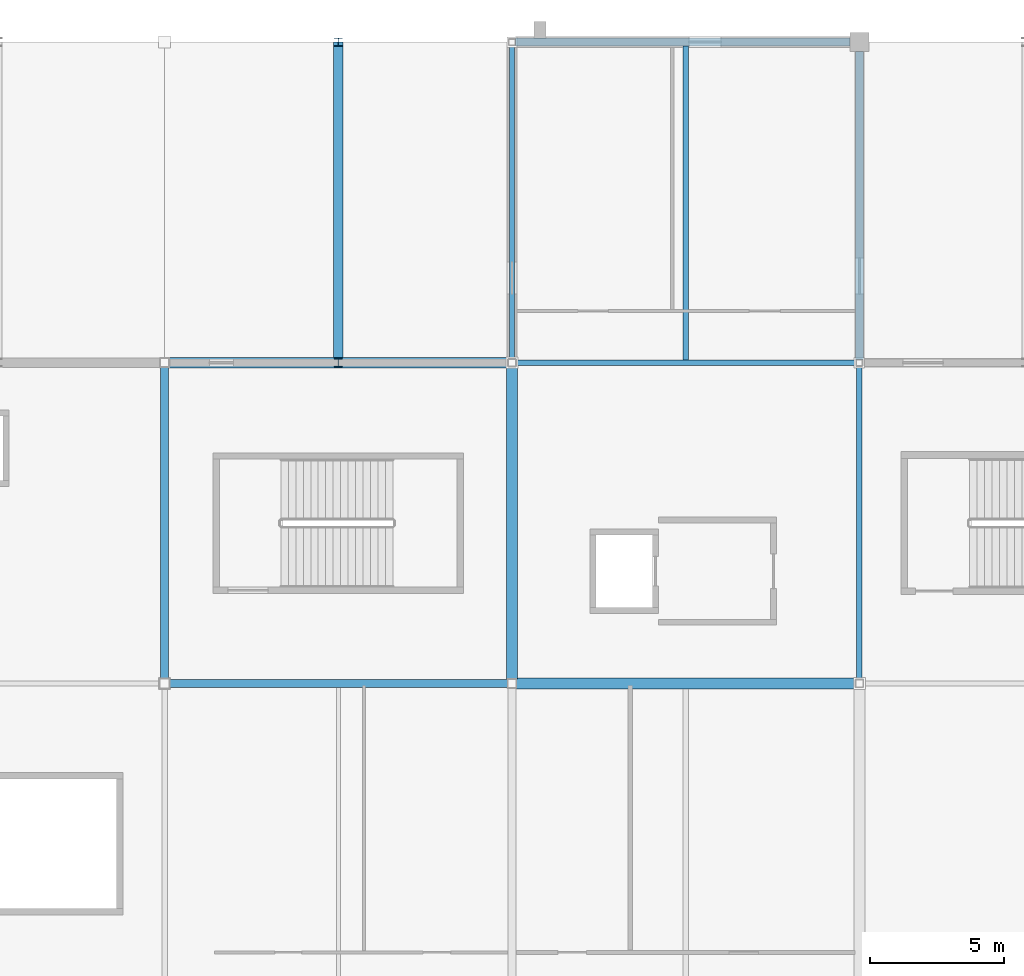
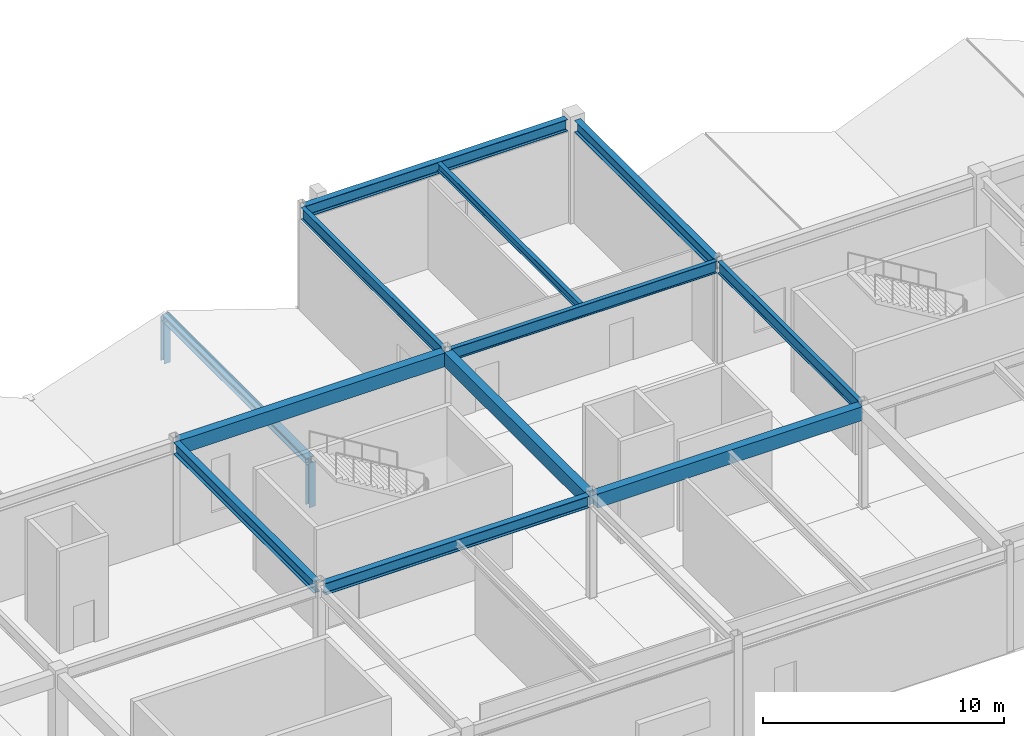
# One storey, part 54 of 105: 11 beams, 3 members.
"""IFC4 building model written with IfcOpenShell, lengths in metres."""

from ifc_helpers import new_model, si_unit, direction, frame, origin, origin_2d, place, context, subcontext, project, spatial, rectangle, i_section, extrude, material, material_profile, profile_set, type_object, element, save


model = new_model("IFC4")

# Units and contexts
model_context = context("Model", 3, precision=1e-05, world=origin(), true_north=direction((0.0, 1.0)))
body_context = subcontext(model_context, "Body", "Model", "MODEL_VIEW")
ifc_project = project(units=[si_unit("LENGTHUNIT", "METRE"), si_unit("AREAUNIT", "SQUARE_METRE"), si_unit("VOLUMEUNIT", "CUBIC_METRE"), si_unit("PLANEANGLEUNIT", "RADIAN"), si_unit("MASSUNIT", "GRAM", prefix="KILO")], contexts=[model_context])

# Site, building, storey
site_placement = place(None, origin())
site = spatial("IfcSite", under=ifc_project, at=site_placement, CompositionType="ELEMENT")
building_placement = place(site_placement, origin())
building = spatial("IfcBuilding", under=site, at=building_placement, Name="Kazenohara Klinker Stadium", CompositionType="ELEMENT")
storey_placement = place(building_placement, frame((0.0, 0.0, 20.39990234375)))
storey = spatial("IfcBuildingStorey", under=building, at=storey_placement, Name="L04", CompositionType="ELEMENT", Elevation=20.39990234375)

# Beams
ifc_material_1 = material(Name="Steel S355", Category="steel")
ifc_material_profile_1 = material_profile(ifc_material_1, i_section(OverallWidth=0.199951171875, OverallDepth=0.39990234375, WebThickness=0.008056640625, FlangeThickness=0.012939453125, FilletRadius=0.012939453125, at=origin_2d()), Name="H-400x200x8x13")
ifc_profile_set_1 = profile_set([ifc_material_profile_1], Name="Steel S355")
beam_type_1 = type_object("IfcBeamType", Name="BM-JST03", PredefinedType="JOIST", material=ifc_profile_set_1)
beam_1_placement = place(storey_placement, frame((118.5, 156.10009765625, 4.97998046875), z_axis=(0.0, 1.0, 0.0), x_axis=(-1.0, 0.0, 0.0)))
element("IfcBeam", 1, at=beam_1_placement, inside=storey, type_object=beam_type_1, Name="Secondary floor joist SJ03 L04 10/P", PredefinedType="JOIST", context=body_context, shape_type="SweptSolid", body=[
    extrude(i_section(OverallWidth=0.199951171875, OverallDepth=0.39990234375, WebThickness=0.008056640625, FlangeThickness=0.012939453125, FilletRadius=0.012939453125, at=origin_2d()), origin(), (0.0, 0.0, 1.0), 11.75),
])
ifc_material_2 = material(Name="Concrete C40/50", Category="concrete")
ifc_material_profile_2 = material_profile(ifc_material_2, rectangle(XDim=0.39990234375, YDim=0.699951171875, at=origin_2d()), Name="RC-BM-400x700")
ifc_profile_set_2 = profile_set([ifc_material_profile_2], Name="Concrete C40/50")
beam_type_2 = type_object("IfcBeamType", Name="BM-RC04", PredefinedType="BEAM", material=ifc_profile_set_2)
for number, where, z_axis, x_axis, name in (
    (2, (99.175048828125, 156.0, 4.830078125), (1.0, 0.0, 0.0), (0.0, 1.0, 0.0), "Primary girder BG04 L04 9-10/P"),
    (3, (112.175048828125, 144.0, 4.830078125), (1.0, 0.0, 0.0), (0.0, 1.0, 0.0), "Primary girder BG04 L04 10-11/N"),
):
    element("IfcBeam", number, at=place(storey_placement, frame(where, z_axis=z_axis, x_axis=x_axis)), inside=storey, type_object=beam_type_2, Name=name, PredefinedType="BEAM", context=body_context, shape_type="SweptSolid", body=[
        extrude(rectangle(XDim=0.39990234375, YDim=0.699951171875, at=origin_2d()), origin(), (0.0, 0.0, 1.0), 12.675048828125),
    ])
beam_2_placement = place(storey_placement, frame((112.0, 144.175048828125, 4.830078125), z_axis=(0.0, 1.0, 0.0), x_axis=(-1.0, 0.0, 0.0)))
element("IfcBeam", 4, at=beam_2_placement, inside=storey, type_object=beam_type_2, Name="Primary girder BG04 L04 10/N-P", PredefinedType="BEAM", context=body_context, shape_type="SweptSolid", body=[
    extrude(rectangle(XDim=0.39990234375, YDim=0.699951171875, at=origin_2d()), origin(), (0.0, 0.0, 1.0), 11.675048828125),
])
ifc_material_profile_3 = material_profile(ifc_material_1, i_section(OverallWidth=0.199951171875, OverallDepth=0.60009765625, WebThickness=0.010986328125, FlangeThickness=0.01708984375, FilletRadius=0.012939453125, at=origin_2d()), Name="H-600x200x11x17")
ifc_profile_set_3 = profile_set([ifc_material_profile_3], Name="Steel S355")
beam_type_3 = type_object("IfcBeamType", Name="BM-ST04", PredefinedType="BEAM", material=ifc_profile_set_3)
beam_3_placement = place(storey_placement, frame((112.14990234375, 156.0, 4.880126953125), z_axis=(1.0, 0.0, 0.0), x_axis=(0.0, 1.0, 0.0)))
element("IfcBeam", 5, at=beam_3_placement, inside=storey, type_object=beam_type_3, Name="Primary girder SB04 L04 10-11/P", PredefinedType="BEAM", context=body_context, shape_type="SweptSolid", body=[
    extrude(i_section(OverallWidth=0.199951171875, OverallDepth=0.60009765625, WebThickness=0.010986328125, FlangeThickness=0.01708984375, FilletRadius=0.012939453125, at=origin_2d()), origin(), (0.0, 0.0, 1.0), 12.72509765625),
])
for number, where, z_axis, x_axis, name in (
    (6, (112.0, 156.14990234375, 4.880126953125), (0.0, 1.0, 0.0), (-1.0, 0.0, 0.0), "Primary girder SB04 L04 10/P-Q"),
    (7, (125.0, 144.14990234375, 4.880126953125), (0.0, 1.0, 0.0), (-1.0, 0.0, 0.0), "Primary girder SB04 L04 11/N-P"),
):
    element("IfcBeam", number, at=place(storey_placement, frame(where, z_axis=z_axis, x_axis=x_axis)), inside=storey, type_object=beam_type_3, Name=name, PredefinedType="BEAM", context=body_context, shape_type="SweptSolid", body=[
        extrude(i_section(OverallWidth=0.199951171875, OverallDepth=0.60009765625, WebThickness=0.010986328125, FlangeThickness=0.01708984375, FilletRadius=0.012939453125, at=origin_2d()), origin(), (0.0, 0.0, 1.0), 11.72509765625),
    ])
ifc_material_profile_4 = material_profile(ifc_material_1, i_section(OverallWidth=0.300048828125, OverallDepth=0.587890625, WebThickness=0.011962890625, FlangeThickness=0.02001953125, FilletRadius=0.02197265625, at=origin_2d()), Name="H-588x300x12x20")
ifc_profile_set_4 = profile_set([ifc_material_profile_4], Name="Steel S355")
beam_type_4 = type_object("IfcBeamType", Name="BM-ST05", PredefinedType="BEAM", material=ifc_profile_set_4)
beam_4_placement = place(storey_placement, frame((99.199951171875, 144.0, 4.885986328125), z_axis=(1.0, 0.0, 0.0), x_axis=(0.0, 1.0, 0.0)))
element("IfcBeam", 8, at=beam_4_placement, inside=storey, type_object=beam_type_4, Name="Primary girder SB05 L04 9-10/N", PredefinedType="BEAM", context=body_context, shape_type="SweptSolid", body=[
    extrude(i_section(OverallWidth=0.300048828125, OverallDepth=0.587890625, WebThickness=0.011962890625, FlangeThickness=0.02001953125, FilletRadius=0.02197265625, at=origin_2d()), origin(), (0.0, 0.0, 1.0), 12.625),
])
beam_5_placement = place(storey_placement, frame((112.125, 168.0, 4.885986328125), z_axis=(1.0, 0.0, 0.0), x_axis=(0.0, 1.0, 0.0)))
element("IfcBeam", 9, at=beam_5_placement, inside=storey, type_object=beam_type_4, Name="Primary girder SB05 L04 10-11/Q", PredefinedType="BEAM", context=body_context, shape_type="SweptSolid", body=[
    extrude(i_section(OverallWidth=0.300048828125, OverallDepth=0.587890625, WebThickness=0.011962890625, FlangeThickness=0.02001953125, FilletRadius=0.02197265625, at=origin_2d()), origin(), (0.0, 0.0, 1.0), 12.52490234375),
])
beam_6_placement = place(storey_placement, frame((99.0, 144.199951171875, 4.885986328125), z_axis=(0.0, 1.0, 0.0), x_axis=(-1.0, 0.0, 0.0)))
element("IfcBeam", 10, at=beam_6_placement, inside=storey, type_object=beam_type_4, Name="Primary girder SB05 L04 9/N-P", PredefinedType="BEAM", context=body_context, shape_type="SweptSolid", body=[
    extrude(i_section(OverallWidth=0.300048828125, OverallDepth=0.587890625, WebThickness=0.011962890625, FlangeThickness=0.02001953125, FilletRadius=0.02197265625, at=origin_2d()), origin(), (0.0, 0.0, 1.0), 11.625),
])
beam_7_placement = place(storey_placement, frame((125.0, 156.125, 4.885986328125), z_axis=(0.0, 1.0, 0.0), x_axis=(-1.0, 0.0, 0.0)))
element("IfcBeam", 11, at=beam_7_placement, inside=storey, type_object=beam_type_4, Name="Primary girder SB05 L04 11/P-Q", PredefinedType="BEAM", context=body_context, shape_type="SweptSolid", body=[
    extrude(i_section(OverallWidth=0.300048828125, OverallDepth=0.587890625, WebThickness=0.011962890625, FlangeThickness=0.02001953125, FilletRadius=0.02197265625, at=origin_2d()), origin(), (0.0, 0.0, 1.0), 11.52490234375),
])

# Members
ifc_material_profile_5 = material_profile(ifc_material_1, i_section(OverallWidth=0.35009765625, OverallDepth=0.35009765625, WebThickness=0.011962890625, FlangeThickness=0.01904296875, FilletRadius=0.012939453125, at=origin_2d()), Name="H-350x350x12x19")
ifc_profile_set_5 = profile_set([ifc_material_profile_5], Name="Steel S355")
member_type_1 = type_object("IfcMemberType", Name="MEM-CHD02", PredefinedType="CHORD", material=ifc_profile_set_5)
member_placement = place(storey_placement, frame((105.5, 156.0, 1.830078125), z_axis=(0.0, 1.0, 0.0), x_axis=(-1.0, 0.0, 0.0)))
element("IfcMember", 12, at=member_placement, inside=storey, type_object=member_type_1, Name="Stepped pavilion gable ridge beam L04 9/P", PredefinedType="CHORD", context=body_context, shape_type="SweptSolid", body=[
    extrude(i_section(OverallWidth=0.35009765625, OverallDepth=0.35009765625, WebThickness=0.011962890625, FlangeThickness=0.01904296875, FilletRadius=0.012939453125, at=origin_2d()), origin(), (0.0, 0.0, 1.0), 12.0),
])
ifc_material_profile_6 = material_profile(ifc_material_1, i_section(OverallWidth=0.300048828125, OverallDepth=0.300048828125, WebThickness=0.010009765625, FlangeThickness=0.014892578125, FilletRadius=0.012939453125, at=origin_2d()), Name="H-300x300x10x15")
ifc_profile_set_6 = profile_set([ifc_material_profile_6], Name="Steel S355")
member_type_2 = type_object("IfcMemberType", Name="MEM-STR01", PredefinedType="STRUT", material=ifc_profile_set_6)
for number, where, z_axis, x_axis, name in (
    (13, (105.5, 156.0, -0.429931640625), (0.0, 0.0, 1.0), (1.0, 0.0, 0.0), "Stepped pavilion gable king-post L04 9/P S"),
    (14, (105.5, 168.0, -0.429931640625), (0.0, 0.0, 1.0), (1.0, 0.0, 0.0), "Stepped pavilion gable king-post L04 9/P N"),
):
    element("IfcMember", number, at=place(storey_placement, frame(where, z_axis=z_axis, x_axis=x_axis)), inside=storey, type_object=member_type_2, Name=name, PredefinedType="STRUT", context=body_context, shape_type="SweptSolid", body=[
        extrude(i_section(OverallWidth=0.300048828125, OverallDepth=0.300048828125, WebThickness=0.010009765625, FlangeThickness=0.014892578125, FilletRadius=0.012939453125, at=origin_2d()), origin(), (0.0, 0.0, 1.0), 2.260009765625),
    ])

save(model, "model.ifc")
